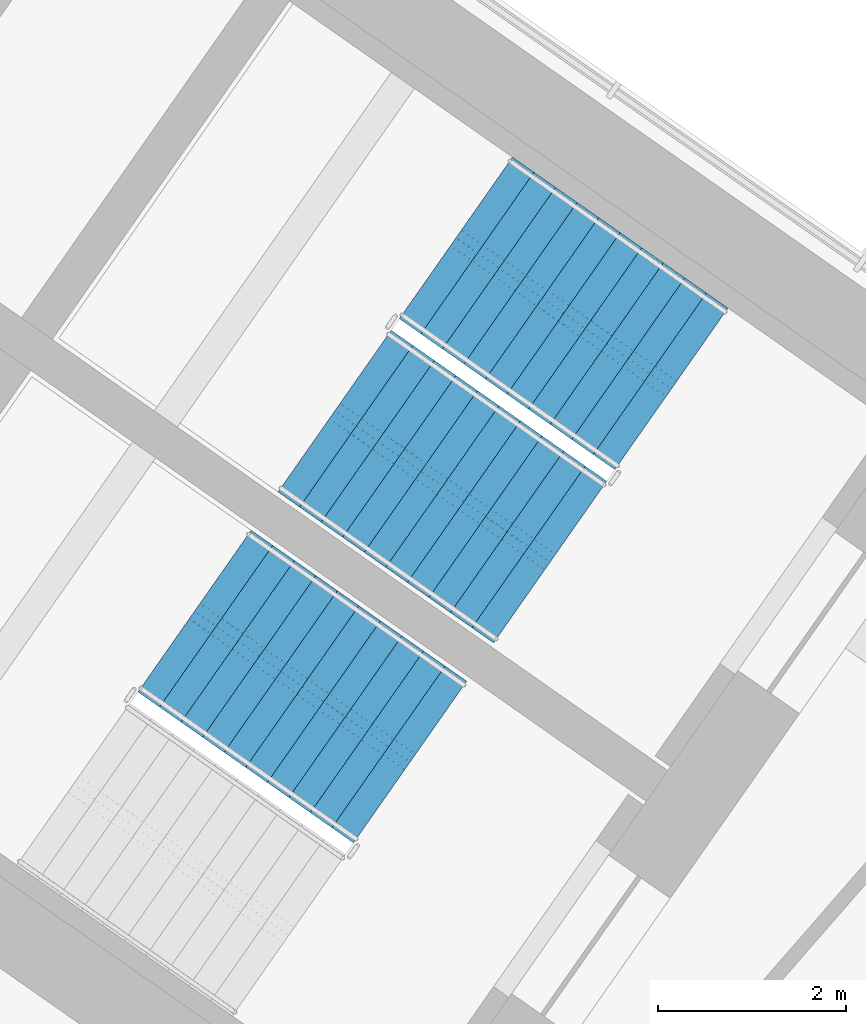
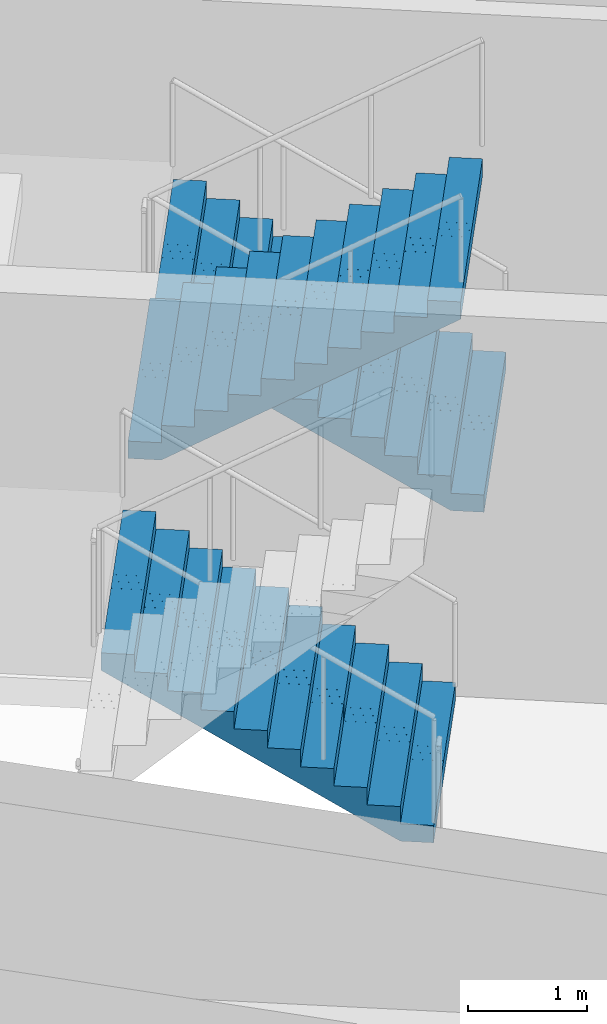
# One storey, part 18 of 23: 3 stair flights, 2 elements without a shape of their own.
"""IFC4 building model written with IfcOpenShell, lengths in metres."""

from ifc_helpers import new_model, si_unit, direction, frame, origin, place, context, subcontext, project, spatial, polyline, outline, extrude, material, type_object, element, aggregate, save


model = new_model("IFC4")

# Units and contexts
model_context = context("Model", 3, precision=1e-05, world=origin(), true_north=direction((0.0, 1.0)))
body_context = subcontext(model_context, "Body", "Model", "MODEL_VIEW")
ifc_project = project(units=[si_unit("LENGTHUNIT", "METRE"), si_unit("AREAUNIT", "SQUARE_METRE"), si_unit("VOLUMEUNIT", "CUBIC_METRE"), si_unit("PLANEANGLEUNIT", "RADIAN"), si_unit("MASSUNIT", "GRAM", prefix="KILO")], contexts=[model_context])

# Site, building, storey
site_placement = place(None, origin())
site = spatial("IfcSite", under=ifc_project, at=site_placement, CompositionType="ELEMENT")
building_placement = place(site_placement, origin())
building = spatial("IfcBuilding", under=site, at=building_placement, Name="Tel Ilan Convention Tower", CompositionType="ELEMENT")
storey_placement = place(building_placement, frame((0.0, 0.0, 171.0)))
storey = spatial("IfcBuildingStorey", under=building, at=storey_placement, Name="L39", CompositionType="ELEMENT", Elevation=171.0)

# Stair, stair flights
ifc_material_1 = material(Name="Concrete C40/50", Category="concrete")
stair_type = type_object("IfcStairType", Name="Pressurised Exit Stair 22 risers 177 mm", PredefinedType="HALF_TURN_STAIR", material=ifc_material_1)
stair_1_placement = place(storey_placement, origin())
stair_1 = element("IfcStair", 1, at=stair_1_placement, inside=storey, type_object=stair_type, Name="L39 Pressurised Stair S3", PredefinedType="HALF_TURN_STAIR")
ifc_material_2 = material(Name="Precast Concrete C40/50", Category="concrete")
stair_flight_type = type_object("IfcStairFlightType", Name="Concrete Stair Flight 2100 mm 22 risers 177 mm", PredefinedType="STRAIGHT", material=ifc_material_2)
stair_flight_1_placement = place(storey_placement, frame((24.25244140625, -7.032470703125, 0.0), z_axis=(0.0, 0.0, 1.0), x_axis=(-0.819152044289, 0.573576436351, 0.0)))
stair_flight_1 = element("IfcStairFlight", 2, at=stair_flight_1_placement, type_object=stair_flight_type, Name="S3 flight 1", NumberOfRisers=11, NumberOfTreads=10, PredefinedType="STRAIGHT", RiserHeight=0.177272727, TreadLength=0.28, context=body_context, shape_type="SweptSolid", body=[
    extrude(outline(polyline([(0.0, 0.0), (0.0, 0.17724609375), (0.280029296875, 0.17724609375), (0.280029296875, 0.3544921875), (0.56005859375, 0.3544921875), (0.56005859375, 0.53173828125), (0.840087890625, 0.53173828125), (0.840087890625, 0.708984375), (1.1201171875, 0.708984375), (1.1201171875, 0.886474609375), (1.39990234375, 0.886474609375), (1.39990234375, 1.063720703125), (1.679931640625, 1.063720703125), (1.679931640625, 1.240966796875), (1.9599609375, 1.240966796875), (1.9599609375, 1.418212890625), (2.239990234375, 1.418212890625), (2.239990234375, 1.595458984375), (2.52001953125, 1.595458984375), (2.52001953125, 1.772705078125), (2.800048828125, 1.772705078125), (2.800048828125, 1.949951171875), (2.800048828125, 1.59521484375), (0.2802734375, 0.0), (0.0, 0.0)])), frame((0.0, -0.100341796875, 0.0), z_axis=(0.0, -1.0, 0.0), x_axis=(1.0, 0.0, 0.0)), (0.0, 0.0, 1.0), 0.94970703125),
    extrude(outline(polyline([(0.0, 0.0), (0.0, 0.17724609375), (0.280029296875, 0.17724609375), (0.280029296875, 0.3544921875), (0.56005859375, 0.3544921875), (0.56005859375, 0.53173828125), (0.840087890625, 0.53173828125), (0.840087890625, 0.708984375), (1.1201171875, 0.708984375), (1.1201171875, 0.886474609375), (1.39990234375, 0.886474609375), (1.39990234375, 1.063720703125), (1.679931640625, 1.063720703125), (1.679931640625, 1.240966796875), (1.9599609375, 1.240966796875), (1.9599609375, 1.418212890625), (2.239990234375, 1.418212890625), (2.239990234375, 1.595458984375), (2.52001953125, 1.595458984375), (2.52001953125, 1.772705078125), (2.800048828125, 1.772705078125), (2.800048828125, 1.949951171875), (2.800048828125, 1.59521484375), (0.2802734375, 0.0), (0.0, 0.0)])), frame((0.0, -0.000244140625, 0.0), z_axis=(0.0, -1.0, 0.0), x_axis=(1.0, 0.0, 0.0)), (0.0, 0.0, 1.0), 0.099609375),
    extrude(outline(polyline([(0.0, 0.0), (0.0, 0.17724609375), (0.280029296875, 0.17724609375), (0.280029296875, 0.3544921875), (0.56005859375, 0.3544921875), (0.56005859375, 0.53173828125), (0.840087890625, 0.53173828125), (0.840087890625, 0.708984375), (1.1201171875, 0.708984375), (1.1201171875, 0.886474609375), (1.39990234375, 0.886474609375), (1.39990234375, 1.063720703125), (1.679931640625, 1.063720703125), (1.679931640625, 1.240966796875), (1.9599609375, 1.240966796875), (1.9599609375, 1.418212890625), (2.239990234375, 1.418212890625), (2.239990234375, 1.595458984375), (2.52001953125, 1.595458984375), (2.52001953125, 1.772705078125), (2.800048828125, 1.772705078125), (2.800048828125, 1.949951171875), (2.800048828125, 1.59521484375), (0.2802734375, 0.0), (0.0, 0.0)])), frame((0.0, 0.099853515625, 0.0), z_axis=(0.0, -1.0, 0.0), x_axis=(1.0, 0.0, 0.0)), (0.0, 0.0, 1.0), 0.099609375),
    extrude(outline(polyline([(0.0, 0.0), (0.0, 0.17724609375), (0.280029296875, 0.17724609375), (0.280029296875, 0.3544921875), (0.56005859375, 0.3544921875), (0.56005859375, 0.53173828125), (0.840087890625, 0.53173828125), (0.840087890625, 0.708984375), (1.1201171875, 0.708984375), (1.1201171875, 0.886474609375), (1.39990234375, 0.886474609375), (1.39990234375, 1.063720703125), (1.679931640625, 1.063720703125), (1.679931640625, 1.240966796875), (1.9599609375, 1.240966796875), (1.9599609375, 1.418212890625), (2.239990234375, 1.418212890625), (2.239990234375, 1.595458984375), (2.52001953125, 1.595458984375), (2.52001953125, 1.772705078125), (2.800048828125, 1.772705078125), (2.800048828125, 1.949951171875), (2.800048828125, 1.59521484375), (0.2802734375, 0.0), (0.0, 0.0)])), frame((0.0, 1.050048828125, 0.0), z_axis=(0.0, -1.0, 0.0), x_axis=(1.0, 0.0, 0.0)), (0.0, 0.0, 1.0), 0.94970703125),
])
stair_flight_2_placement = place(storey_placement, frame((20.668212890625, -7.26953125, 1.949951171875), z_axis=(0.0, 0.0, 1.0), x_axis=(0.819152044289, -0.573576436351, 0.0)))
stair_flight_2 = element("IfcStairFlight", 3, at=stair_flight_2_placement, type_object=stair_flight_type, Name="S3 flight 2", NumberOfRisers=11, NumberOfTreads=10, PredefinedType="STRAIGHT", RiserHeight=0.177272727, TreadLength=0.28, context=body_context, shape_type="SweptSolid", body=[
    extrude(outline(polyline([(0.0, 0.0), (0.0, 0.17724609375), (0.280029296875, 0.17724609375), (0.280029296875, 0.3544921875), (0.56005859375, 0.3544921875), (0.56005859375, 0.53173828125), (0.840087890625, 0.53173828125), (0.840087890625, 0.708984375), (1.1201171875, 0.708984375), (1.1201171875, 0.886474609375), (1.39990234375, 0.886474609375), (1.39990234375, 1.063720703125), (1.679931640625, 1.063720703125), (1.679931640625, 1.240966796875), (1.9599609375, 1.240966796875), (1.9599609375, 1.418212890625), (2.239990234375, 1.418212890625), (2.239990234375, 1.595458984375), (2.52001953125, 1.595458984375), (2.52001953125, 1.772705078125), (2.800048828125, 1.772705078125), (2.800048828125, 1.949951171875), (2.800048828125, 1.59521484375), (0.2802734375, 0.0), (0.0, 0.0)])), frame((0.0, -0.100341796875, 0.0), z_axis=(0.0, -1.0, 0.0), x_axis=(1.0, 0.0, 0.0)), (0.0, 0.0, 1.0), 0.94970703125),
    extrude(outline(polyline([(0.0, 0.0), (0.0, 0.17724609375), (0.280029296875, 0.17724609375), (0.280029296875, 0.3544921875), (0.56005859375, 0.3544921875), (0.56005859375, 0.53173828125), (0.840087890625, 0.53173828125), (0.840087890625, 0.708984375), (1.1201171875, 0.708984375), (1.1201171875, 0.886474609375), (1.39990234375, 0.886474609375), (1.39990234375, 1.063720703125), (1.679931640625, 1.063720703125), (1.679931640625, 1.240966796875), (1.9599609375, 1.240966796875), (1.9599609375, 1.418212890625), (2.239990234375, 1.418212890625), (2.239990234375, 1.595458984375), (2.52001953125, 1.595458984375), (2.52001953125, 1.772705078125), (2.800048828125, 1.772705078125), (2.800048828125, 1.949951171875), (2.800048828125, 1.59521484375), (0.2802734375, 0.0), (0.0, 0.0)])), frame((0.0, -0.000244140625, 0.0), z_axis=(0.0, -1.0, 0.0), x_axis=(1.0, 0.0, 0.0)), (0.0, 0.0, 1.0), 0.099609375),
    extrude(outline(polyline([(0.0, 0.0), (0.0, 0.17724609375), (0.280029296875, 0.17724609375), (0.280029296875, 0.3544921875), (0.56005859375, 0.3544921875), (0.56005859375, 0.53173828125), (0.840087890625, 0.53173828125), (0.840087890625, 0.708984375), (1.1201171875, 0.708984375), (1.1201171875, 0.886474609375), (1.39990234375, 0.886474609375), (1.39990234375, 1.063720703125), (1.679931640625, 1.063720703125), (1.679931640625, 1.240966796875), (1.9599609375, 1.240966796875), (1.9599609375, 1.418212890625), (2.239990234375, 1.418212890625), (2.239990234375, 1.595458984375), (2.52001953125, 1.595458984375), (2.52001953125, 1.772705078125), (2.800048828125, 1.772705078125), (2.800048828125, 1.949951171875), (2.800048828125, 1.59521484375), (0.2802734375, 0.0), (0.0, 0.0)])), frame((0.0, 0.099853515625, 0.0), z_axis=(0.0, -1.0, 0.0), x_axis=(1.0, 0.0, 0.0)), (0.0, 0.0, 1.0), 0.099609375),
    extrude(outline(polyline([(0.0, 0.0), (0.0, 0.17724609375), (0.280029296875, 0.17724609375), (0.280029296875, 0.3544921875), (0.56005859375, 0.3544921875), (0.56005859375, 0.53173828125), (0.840087890625, 0.53173828125), (0.840087890625, 0.708984375), (1.1201171875, 0.708984375), (1.1201171875, 0.886474609375), (1.39990234375, 0.886474609375), (1.39990234375, 1.063720703125), (1.679931640625, 1.063720703125), (1.679931640625, 1.240966796875), (1.9599609375, 1.240966796875), (1.9599609375, 1.418212890625), (2.239990234375, 1.418212890625), (2.239990234375, 1.595458984375), (2.52001953125, 1.595458984375), (2.52001953125, 1.772705078125), (2.800048828125, 1.772705078125), (2.800048828125, 1.949951171875), (2.800048828125, 1.59521484375), (0.2802734375, 0.0), (0.0, 0.0)])), frame((0.0, 1.050048828125, 0.0), z_axis=(0.0, -1.0, 0.0), x_axis=(1.0, 0.0, 0.0)), (0.0, 0.0, 1.0), 0.94970703125),
])
aggregate(stair_1, [stair_flight_1, stair_flight_2])

# Stair, stair flight
stair_2_placement = place(storey_placement, origin())
stair_2 = element("IfcStair", 4, at=stair_2_placement, inside=storey, type_object=stair_type, Name="L39 Pressurised Stair S4", PredefinedType="HALF_TURN_STAIR")
stair_flight_3_placement = place(storey_placement, frame((21.470458984375, -11.00537109375, 0.0), z_axis=(0.0, 0.0, 1.0), x_axis=(-0.819152044289, 0.573576436351, 0.0)))
stair_flight_3 = element("IfcStairFlight", 5, at=stair_flight_3_placement, type_object=stair_flight_type, Name="S4 flight 1", NumberOfRisers=11, NumberOfTreads=10, PredefinedType="STRAIGHT", RiserHeight=0.177272727, TreadLength=0.28, context=body_context, shape_type="SweptSolid", body=[
    extrude(outline(polyline([(0.0, 0.0), (0.0, 0.17724609375), (0.280029296875, 0.17724609375), (0.280029296875, 0.3544921875), (0.56005859375, 0.3544921875), (0.56005859375, 0.53173828125), (0.840087890625, 0.53173828125), (0.840087890625, 0.708984375), (1.1201171875, 0.708984375), (1.1201171875, 0.886474609375), (1.39990234375, 0.886474609375), (1.39990234375, 1.063720703125), (1.679931640625, 1.063720703125), (1.679931640625, 1.240966796875), (1.9599609375, 1.240966796875), (1.9599609375, 1.418212890625), (2.239990234375, 1.418212890625), (2.239990234375, 1.595458984375), (2.52001953125, 1.595458984375), (2.52001953125, 1.772705078125), (2.800048828125, 1.772705078125), (2.800048828125, 1.949951171875), (2.800048828125, 1.59521484375), (0.2802734375, 0.0), (0.0, 0.0)])), frame((0.0, -0.100341796875, 0.0), z_axis=(0.0, -1.0, 0.0), x_axis=(1.0, 0.0, 0.0)), (0.0, 0.0, 1.0), 0.94970703125),
    extrude(outline(polyline([(0.0, 0.0), (0.0, 0.17724609375), (0.280029296875, 0.17724609375), (0.280029296875, 0.3544921875), (0.56005859375, 0.3544921875), (0.56005859375, 0.53173828125), (0.840087890625, 0.53173828125), (0.840087890625, 0.708984375), (1.1201171875, 0.708984375), (1.1201171875, 0.886474609375), (1.39990234375, 0.886474609375), (1.39990234375, 1.063720703125), (1.679931640625, 1.063720703125), (1.679931640625, 1.240966796875), (1.9599609375, 1.240966796875), (1.9599609375, 1.418212890625), (2.239990234375, 1.418212890625), (2.239990234375, 1.595458984375), (2.52001953125, 1.595458984375), (2.52001953125, 1.772705078125), (2.800048828125, 1.772705078125), (2.800048828125, 1.949951171875), (2.800048828125, 1.59521484375), (0.2802734375, 0.0), (0.0, 0.0)])), frame((0.0, -0.000244140625, 0.0), z_axis=(0.0, -1.0, 0.0), x_axis=(1.0, 0.0, 0.0)), (0.0, 0.0, 1.0), 0.099609375),
    extrude(outline(polyline([(0.0, 0.0), (0.0, 0.17724609375), (0.280029296875, 0.17724609375), (0.280029296875, 0.3544921875), (0.56005859375, 0.3544921875), (0.56005859375, 0.53173828125), (0.840087890625, 0.53173828125), (0.840087890625, 0.708984375), (1.1201171875, 0.708984375), (1.1201171875, 0.886474609375), (1.39990234375, 0.886474609375), (1.39990234375, 1.063720703125), (1.679931640625, 1.063720703125), (1.679931640625, 1.240966796875), (1.9599609375, 1.240966796875), (1.9599609375, 1.418212890625), (2.239990234375, 1.418212890625), (2.239990234375, 1.595458984375), (2.52001953125, 1.595458984375), (2.52001953125, 1.772705078125), (2.800048828125, 1.772705078125), (2.800048828125, 1.949951171875), (2.800048828125, 1.59521484375), (0.2802734375, 0.0), (0.0, 0.0)])), frame((0.0, 0.099853515625, 0.0), z_axis=(0.0, -1.0, 0.0), x_axis=(1.0, 0.0, 0.0)), (0.0, 0.0, 1.0), 0.099609375),
    extrude(outline(polyline([(0.0, 0.0), (0.0, 0.17724609375), (0.280029296875, 0.17724609375), (0.280029296875, 0.3544921875), (0.56005859375, 0.3544921875), (0.56005859375, 0.53173828125), (0.840087890625, 0.53173828125), (0.840087890625, 0.708984375), (1.1201171875, 0.708984375), (1.1201171875, 0.886474609375), (1.39990234375, 0.886474609375), (1.39990234375, 1.063720703125), (1.679931640625, 1.063720703125), (1.679931640625, 1.240966796875), (1.9599609375, 1.240966796875), (1.9599609375, 1.418212890625), (2.239990234375, 1.418212890625), (2.239990234375, 1.595458984375), (2.52001953125, 1.595458984375), (2.52001953125, 1.772705078125), (2.800048828125, 1.772705078125), (2.800048828125, 1.949951171875), (2.800048828125, 1.59521484375), (0.2802734375, 0.0), (0.0, 0.0)])), frame((0.0, 1.050048828125, 0.0), z_axis=(0.0, -1.0, 0.0), x_axis=(1.0, 0.0, 0.0)), (0.0, 0.0, 1.0), 0.94970703125),
])
aggregate(stair_2, [stair_flight_3])

save(model, "model.ifc")
